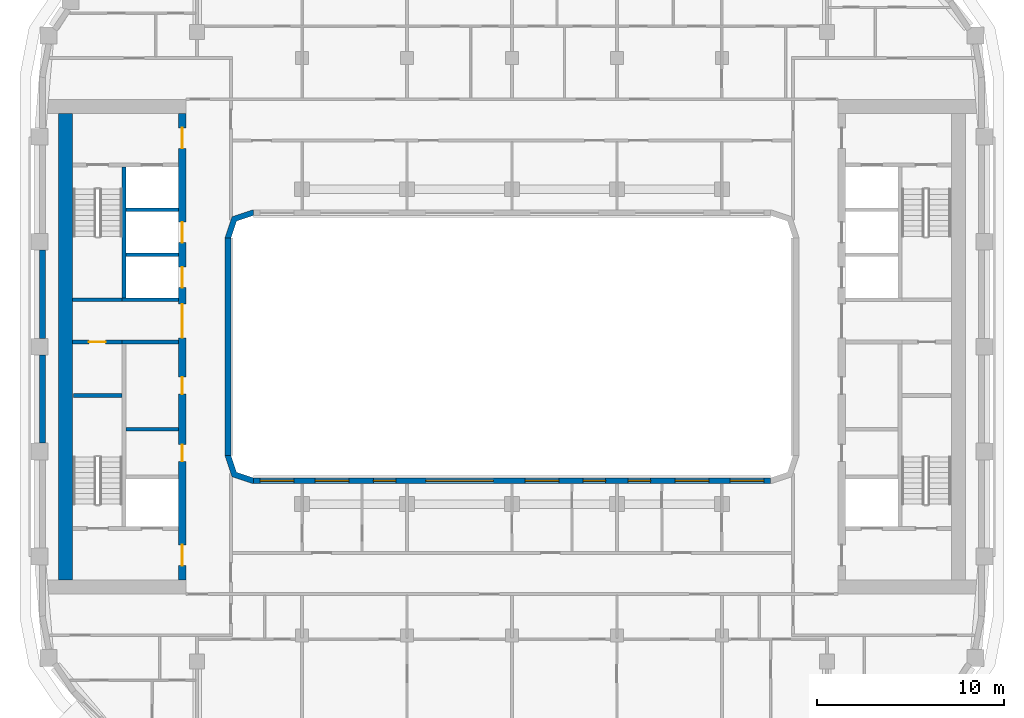
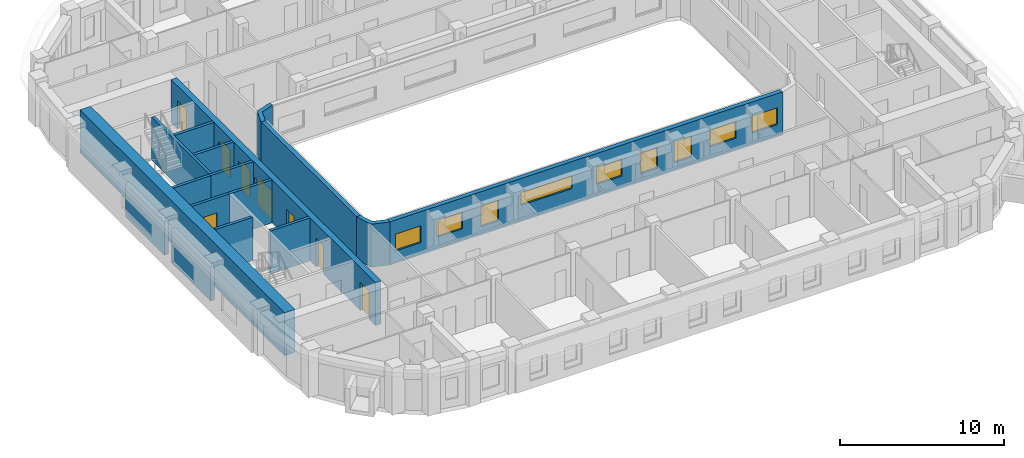
# One storey, part 4 of 21: 17 walls, 9 windows, 8 doors, 17 openings.
"""IFC4 building model written with IfcOpenShell, lengths in metres."""

from ifc_helpers import new_model, si_unit, direction, frame, frame_2d, origin, place, context, subcontext, project, spatial, polyline, rectangle, outline, extrude, material, layer, layer_set, type_object, element, fill, save


model = new_model("IFC4")

# Units and contexts
model_context = context("Model", 3, precision=1e-05, world=origin(), true_north=direction((0.0, 1.0)))
body_context = subcontext(model_context, "Body", "Model", "MODEL_VIEW")
ifc_project = project(units=[si_unit("LENGTHUNIT", "METRE"), si_unit("AREAUNIT", "SQUARE_METRE"), si_unit("VOLUMEUNIT", "CUBIC_METRE"), si_unit("PLANEANGLEUNIT", "RADIAN"), si_unit("MASSUNIT", "GRAM", prefix="KILO")], contexts=[model_context])

# Site, building, storey
site_placement = place(None, origin())
site = spatial("IfcSite", under=ifc_project, at=site_placement, CompositionType="ELEMENT")
building_placement = place(site_placement, origin())
building = spatial("IfcBuilding", under=site, at=building_placement, Name="Kiln Ring Residences", CompositionType="ELEMENT")
storey_placement = place(building_placement, frame((0.0, 0.0, 195.89990234375)))
storey = spatial("IfcBuildingStorey", under=building, at=storey_placement, Name="L50", CompositionType="ELEMENT", Elevation=195.89990234375)

# Wall, opening, door
ifc_material_1 = material(Name="Gypsum board on steel studs", Category="steel")
ifc_layer_1 = layer(ifc_material_1, 0.199951171875)
ifc_layer_set_1 = layer_set([ifc_layer_1], Name="CORE-PARTITION-200")
wall_type_1 = type_object("IfcWallType", Name="CORE-PARTITION-200", PredefinedType="PARTITIONING", material=ifc_layer_set_1)
wall_1_placement = place(storey_placement, frame((-20.800048828125, 0.25, 0.0), z_axis=(0.0, 0.0, 1.0), x_axis=(-1.0, 0.0, 0.0)))
wall_1 = element("IfcWall", 1, at=wall_1_placement, inside=storey, type_object=wall_type_1, Name="Core partition west L50 1", PredefinedType="PARTITIONING", context=body_context, shape_type="SweptSolid", body=[
    extrude(rectangle(XDim=2.64990234375, YDim=0.199951171875, at=frame_2d((1.324951171875, 0.0))), origin(), (0.0, 0.0, 1.0), 3.2001953125),
])
opening_1_placement = place(wall_1_placement, frame((0.875, 0.0, 0.0)))
opening_1 = element("IfcOpeningElement", 2, at=opening_1_placement, cuts=wall_1, Name="Opening L50-CW12", PredefinedType="OPENING", context=body_context, shape_type="SweptSolid", body=[
    extrude(rectangle(XDim=0.89990234375, YDim=2.10009765625, at=frame_2d((0.449951171875, 1.050048828125))), frame((0.0, 0.10986328125, 0.0), z_axis=(0.0, -1.0, 0.0), x_axis=(1.0, 0.0, 0.0)), (0.0, 0.0, 1.0), 0.219970703125),
])
ifc_material_2 = material(Name="Steel door leaf", Category="steel")
door_type_1 = type_object("IfcDoorType", Name="CORE-DOOR-ROOM", OperationType="SINGLE_SWING_LEFT", PredefinedType="DOOR", material=ifc_material_2)
door_1_placement = place(opening_1_placement, origin())
door_1 = element("IfcDoor", 3, at=door_1_placement, inside=storey, type_object=door_type_1, Name="Electrical riser room L50-CW12", OperationType="SINGLE_SWING_RIGHT", OverallHeight=2.10009765625, OverallWidth=0.89990234375, PredefinedType="DOOR", context=body_context, shape_type="SweptSolid", body=[
    extrude(rectangle(XDim=0.89990234375, YDim=2.10009765625, at=frame_2d((0.449951171875, 1.050048828125))), frame((0.0, 0.02490234375, 0.0), z_axis=(0.0, -1.0, 0.0), x_axis=(1.0, 0.0, 0.0)), (0.0, 0.0, 1.0), 0.050048828125),
])
fill(opening_1, door_1)

# Walls
wall_2_placement = place(storey_placement, frame((-17.800048828125, -4.39990234375, 0.0), z_axis=(0.0, 0.0, 1.0), x_axis=(-1.0, 0.0, 0.0)))
element("IfcWall", 4, at=wall_2_placement, inside=storey, type_object=wall_type_1, Name="Core partition west L50 2", PredefinedType="PARTITIONING", context=body_context, shape_type="SweptSolid", body=[
    extrude(rectangle(XDim=2.800048828125, YDim=0.199951171875, at=frame_2d((1.39990234375, 0.0))), origin(), (0.0, 0.0, 1.0), 3.2001953125),
])
ifc_material_3 = material(Name="Gypsum shaft wall system")
ifc_layer_2 = layer(ifc_material_3, 0.199951171875)
ifc_layer_set_2 = layer_set([ifc_layer_2], Name="CORE-SHAFT-WALL-200")
wall_type_2 = type_object("IfcWallType", Name="CORE-SHAFT-WALL-200", PredefinedType="PARTITIONING", material=ifc_layer_set_2)
for number, where, z_axis, x_axis, name in (
    (5, (-17.800048828125, 0.25, 0.0), (0.0, 0.0, 1.0), (-1.0, 0.0, 0.0), "Core partition west L50 4"),
    (6, (-17.800048828125, 2.5, 0.0), (0.0, 0.0, 1.0), (-1.0, 0.0, 0.0), "Core partition west L50 5"),
):
    element("IfcWall", number, at=place(storey_placement, frame(where, z_axis=z_axis, x_axis=x_axis)), inside=storey, type_object=wall_type_2, Name=name, PredefinedType="PARTITIONING", context=body_context, shape_type="SweptSolid", body=[
        extrude(rectangle(XDim=3.0, YDim=0.199951171875, at=frame_2d((1.5, 0.0))), origin(), (0.0, 0.0, 1.0), 3.2001953125),
    ])
for number, where, z_axis, x_axis, name in (
    (7, (-17.800048828125, 4.89990234375, 0.0), (0.0, 0.0, 1.0), (-1.0, 0.0, 0.0), "Core partition west L50 6"),
    (8, (-17.800048828125, 7.300048828125, 0.0), (0.0, 0.0, 1.0), (-1.0, 0.0, 0.0), "Core partition west L50 7"),
):
    element("IfcWall", number, at=place(storey_placement, frame(where, z_axis=z_axis, x_axis=x_axis)), inside=storey, type_object=wall_type_2, Name=name, PredefinedType="PARTITIONING", context=body_context, shape_type="SweptSolid", body=[
        extrude(rectangle(XDim=2.800048828125, YDim=0.199951171875, at=frame_2d((1.39990234375, 0.0))), origin(), (0.0, 0.0, 1.0), 3.2001953125),
    ])
ifc_material_4 = material(Name="Concrete C40/50", Category="concrete")
ifc_layer_3 = layer(ifc_material_4, 0.199951171875)
ifc_layer_set_3 = layer_set([ifc_layer_3], Name="CORE-WALL-RC200")
wall_type_3 = type_object("IfcWallType", Name="CORE-WALL-RC200", PredefinedType="SHEAR", material=ifc_layer_set_3)
wall_3_placement = place(storey_placement, frame((-20.699951171875, 2.60009765625, 0.0), z_axis=(0.0, 0.0, 1.0), x_axis=(0.0, 1.0, 0.0)))
element("IfcWall", 9, at=wall_3_placement, inside=storey, type_object=wall_type_3, Name="Core wall west L50 1", PredefinedType="SHEAR", context=body_context, shape_type="SweptSolid", body=[
    extrude(rectangle(XDim=7.0, YDim=0.199951171875, at=frame_2d((3.5, 0.0))), origin(), (0.0, 0.0, 1.0), 3.2001953125),
])
wall_4_placement = place(storey_placement, frame((-20.800048828125, 2.5, 0.0), z_axis=(0.0, 0.0, 1.0), x_axis=(-1.0, 0.0, 0.0)))
element("IfcWall", 10, at=wall_4_placement, inside=storey, type_object=wall_type_3, Name="Core wall west L50 3", PredefinedType="SHEAR", context=body_context, shape_type="SweptSolid", body=[
    extrude(rectangle(XDim=2.64990234375, YDim=0.199951171875, at=frame_2d((1.324951171875, 0.0))), origin(), (0.0, 0.0, 1.0), 3.2001953125),
])
wall_5_placement = place(storey_placement, frame((-20.800048828125, -2.60009765625, 0.0), z_axis=(0.0, 0.0, 1.0), x_axis=(-1.0, 0.0, 0.0)))
element("IfcWall", 11, at=wall_5_placement, inside=storey, type_object=wall_type_3, Name="Core wall west L50 10", PredefinedType="SHEAR", context=body_context, shape_type="SweptSolid", body=[
    extrude(rectangle(XDim=2.599853515625, YDim=0.199951171875, at=frame_2d((1.2998046875, 0.0))), origin(), (0.0, 0.0, 1.0), 3.2001953125),
])

# Wall, openings, doors
ifc_material_5 = material(Name="Concrete C60/75", Category="concrete")
ifc_layer_4 = layer(ifc_material_5, 0.39990234375)
ifc_layer_set_4 = layer_set([ifc_layer_4], Name="CORE-WALL-RC400")
wall_type_4 = type_object("IfcWallType", Name="CORE-WALL-RC400", PredefinedType="SHEAR", material=ifc_layer_set_4)
wall_6_placement = place(storey_placement, frame((-17.60009765625, -12.449951171875, 0.0), z_axis=(0.0, 0.0, 1.0), x_axis=(0.0, 1.0, 0.0)))
wall_6 = element("IfcWall", 12, at=wall_6_placement, inside=storey, type_object=wall_type_4, Name="Core wall west L50 6", PredefinedType="SHEAR", context=body_context, shape_type="SweptSolid", body=[
    extrude(rectangle(XDim=24.89990234375, YDim=0.39990234375, at=frame_2d((12.449951171875, 0.0))), origin(), (0.0, 0.0, 1.0), 3.2001953125),
])
opening_2_placement = place(wall_6_placement, frame((6.324951171875, 0.0, 0.0)))
opening_2 = element("IfcOpeningElement", 13, at=opening_2_placement, cuts=wall_6, Name="Opening L50-CW02", PredefinedType="OPENING", context=body_context, shape_type="SweptSolid", body=[
    extrude(rectangle(XDim=0.89990234375, YDim=2.10009765625, at=frame_2d((0.449951171875, 1.050048828125))), frame((0.0, 0.2099609375, 0.0), z_axis=(0.0, -1.0, 0.0), x_axis=(1.0, 0.0, 0.0)), (0.0, 0.0, 1.0), 0.419921875),
])
opening_3_placement = place(wall_6_placement, frame((9.925048828125, 0.0, 0.0)))
opening_3 = element("IfcOpeningElement", 14, at=opening_3_placement, cuts=wall_6, Name="Opening L50-CW03", PredefinedType="OPENING", context=body_context, shape_type="SweptSolid", body=[
    extrude(rectangle(XDim=0.89990234375, YDim=2.10009765625, at=frame_2d((0.449951171875, 1.050048828125))), frame((0.0, 0.2099609375, 0.0), z_axis=(0.0, -1.0, 0.0), x_axis=(1.0, 0.0, 0.0)), (0.0, 0.0, 1.0), 0.419921875),
])
opening_4_placement = place(wall_6_placement, frame((15.60009765625, 0.0, 0.0)))
opening_4 = element("IfcOpeningElement", 15, at=opening_4_placement, cuts=wall_6, Name="Opening L50-CW04", PredefinedType="OPENING", context=body_context, shape_type="SweptSolid", body=[
    extrude(rectangle(XDim=1.10009765625, YDim=2.10009765625, at=frame_2d((0.550048828125, 1.050048828125))), frame((0.0, 0.2099609375, 0.0), z_axis=(0.0, -1.0, 0.0), x_axis=(1.0, 0.0, 0.0)), (0.0, 0.0, 1.0), 0.419921875),
])
opening_5_placement = place(wall_6_placement, frame((18.0, 0.0, 0.0)))
opening_5 = element("IfcOpeningElement", 16, at=opening_5_placement, cuts=wall_6, Name="Opening L50-CW05", PredefinedType="OPENING", context=body_context, shape_type="SweptSolid", body=[
    extrude(rectangle(XDim=1.10009765625, YDim=2.10009765625, at=frame_2d((0.550048828125, 1.050048828125))), frame((0.0, 0.2099609375, 0.0), z_axis=(0.0, -1.0, 0.0), x_axis=(1.0, 0.0, 0.0)), (0.0, 0.0, 1.0), 0.419921875),
])
opening_6_placement = place(wall_6_placement, frame((23.02490234375, 0.0, 0.0)))
opening_6 = element("IfcOpeningElement", 17, at=opening_6_placement, cuts=wall_6, Name="Opening L50-CW07", PredefinedType="OPENING", context=body_context, shape_type="SweptSolid", body=[
    extrude(rectangle(XDim=1.10009765625, YDim=2.10009765625, at=frame_2d((0.550048828125, 1.050048828125))), frame((0.0, 0.2099609375, 0.0), z_axis=(0.0, -1.0, 0.0), x_axis=(1.0, 0.0, 0.0)), (0.0, 0.0, 1.0), 0.419921875),
])
opening_7_placement = place(wall_6_placement, frame((0.77490234375, 0.0, 0.0)))
opening_7 = element("IfcOpeningElement", 18, at=opening_7_placement, cuts=wall_6, Name="Opening L50-CW08", PredefinedType="OPENING", context=body_context, shape_type="SweptSolid", body=[
    extrude(rectangle(XDim=1.10009765625, YDim=2.10009765625, at=frame_2d((0.550048828125, 1.050048828125))), frame((0.0, 0.2099609375, 0.0), z_axis=(0.0, -1.0, 0.0), x_axis=(1.0, 0.0, 0.0)), (0.0, 0.0, 1.0), 0.419921875),
])
opening_8_placement = place(wall_6_placement, frame((12.925048828125, 0.0, 0.0)))
opening_8 = element("IfcOpeningElement", 19, at=opening_8_placement, cuts=wall_6, Name="Opening L50-CW11", PredefinedType="OPENING", context=body_context, shape_type="SweptSolid", body=[
    extrude(rectangle(XDim=1.800048828125, YDim=2.10009765625, at=frame_2d((0.89990234375, 1.050048828125))), frame((0.0, 0.2099609375, 0.0), z_axis=(0.0, -1.0, 0.0), x_axis=(1.0, 0.0, 0.0)), (0.0, 0.0, 1.0), 0.419921875),
])
ifc_material_6 = material(Name="Steel door leaf", Category="steel")
door_type_2 = type_object("IfcDoorType", Name="CORE-DOOR-LD", OperationType="DOUBLE_DOOR_SLIDING", PredefinedType="DOOR", material=ifc_material_6)
door_2_placement = place(opening_4_placement, origin())
door_2 = element("IfcDoor", 20, at=door_2_placement, inside=storey, type_object=door_type_2, Name="LD W-M1 L50-CW04", OperationType="DOUBLE_DOOR_SLIDING", OverallHeight=2.10009765625, OverallWidth=1.10009765625, PredefinedType="DOOR", context=body_context, shape_type="SweptSolid", body=[
    extrude(rectangle(XDim=1.10009765625, YDim=2.10009765625, at=frame_2d((0.550048828125, 1.050048828125))), frame((0.0, 0.02490234375, 0.0), z_axis=(0.0, -1.0, 0.0), x_axis=(1.0, 0.0, 0.0)), (0.0, 0.0, 1.0), 0.050048828125),
])
fill(opening_4, door_2)
door_3_placement = place(opening_5_placement, origin())
door_3 = element("IfcDoor", 21, at=door_3_placement, inside=storey, type_object=door_type_2, Name="LD W-M2 L50-CW05", OperationType="DOUBLE_DOOR_SLIDING", OverallHeight=2.10009765625, OverallWidth=1.10009765625, PredefinedType="DOOR", context=body_context, shape_type="SweptSolid", body=[
    extrude(rectangle(XDim=1.10009765625, YDim=2.10009765625, at=frame_2d((0.550048828125, 1.050048828125))), frame((0.0, 0.02490234375, 0.0), z_axis=(0.0, -1.0, 0.0), x_axis=(1.0, 0.0, 0.0)), (0.0, 0.0, 1.0), 0.050048828125),
])
fill(opening_5, door_3)
ifc_material_7 = material(Name="Steel door leaf", Category="steel")
door_type_3 = type_object("IfcDoorType", Name="CORE-DOOR-LOBBY", OperationType="SINGLE_SWING_LEFT", PredefinedType="DOOR", material=ifc_material_7)
door_4_placement = place(opening_6_placement, origin())
door_4 = element("IfcDoor", 22, at=door_4_placement, inside=storey, type_object=door_type_3, Name="FFL L50-CW07", OperationType="SINGLE_SWING_RIGHT", OverallHeight=2.10009765625, OverallWidth=1.10009765625, PredefinedType="DOOR", context=body_context, shape_type="SweptSolid", body=[
    extrude(rectangle(XDim=1.10009765625, YDim=2.10009765625, at=frame_2d((0.550048828125, 1.050048828125))), frame((0.0, 0.02490234375, 0.0), z_axis=(0.0, -1.0, 0.0), x_axis=(1.0, 0.0, 0.0)), (0.0, 0.0, 1.0), 0.050048828125),
])
fill(opening_6, door_4)
door_5_placement = place(opening_7_placement, origin())
door_5 = element("IfcDoor", 23, at=door_5_placement, inside=storey, type_object=door_type_3, Name="SVL L50-CW08", OperationType="SINGLE_SWING_LEFT", OverallHeight=2.10009765625, OverallWidth=1.10009765625, PredefinedType="DOOR", context=body_context, shape_type="SweptSolid", body=[
    extrude(rectangle(XDim=1.10009765625, YDim=2.10009765625, at=frame_2d((0.550048828125, 1.050048828125))), frame((0.0, 0.02490234375, 0.0), z_axis=(0.0, -1.0, 0.0), x_axis=(1.0, 0.0, 0.0)), (0.0, 0.0, 1.0), 0.050048828125),
])
fill(opening_7, door_5)
ifc_material_8 = material(Name="Steel door leaf", Category="steel")
door_type_4 = type_object("IfcDoorType", Name="CORE-DOOR-PASS", OperationType="DOUBLE_DOOR_SINGLE_SWING", PredefinedType="DOOR", material=ifc_material_8)
door_6_placement = place(opening_8_placement, origin())
door_6 = element("IfcDoor", 24, at=door_6_placement, inside=storey, type_object=door_type_4, Name="Core passage L50-CW11", OperationType="DOUBLE_DOOR_SINGLE_SWING", OverallHeight=2.10009765625, OverallWidth=1.800048828125, PredefinedType="DOOR", context=body_context, shape_type="SweptSolid", body=[
    extrude(rectangle(XDim=1.800048828125, YDim=2.10009765625, at=frame_2d((0.89990234375, 1.050048828125))), frame((0.0, 0.02490234375, 0.0), z_axis=(0.0, -1.0, 0.0), x_axis=(1.0, 0.0, 0.0)), (0.0, 0.0, 1.0), 0.050048828125),
])
fill(opening_8, door_6)
door_7_placement = place(opening_2_placement, origin())
door_7 = element("IfcDoor", 25, at=door_7_placement, inside=storey, type_object=door_type_1, Name="Goods store L50-CW02", OperationType="SINGLE_SWING_RIGHT", OverallHeight=2.10009765625, OverallWidth=0.89990234375, PredefinedType="DOOR", context=body_context, shape_type="SweptSolid", body=[
    extrude(rectangle(XDim=0.89990234375, YDim=2.10009765625, at=frame_2d((0.449951171875, 1.050048828125))), frame((0.0, 0.02490234375, 0.0), z_axis=(0.0, -1.0, 0.0), x_axis=(1.0, 0.0, 0.0)), (0.0, 0.0, 1.0), 0.050048828125),
])
fill(opening_2, door_7)
door_8_placement = place(opening_3_placement, origin())
door_8 = element("IfcDoor", 26, at=door_8_placement, inside=storey, type_object=door_type_1, Name="Storage room L50-CW03", OperationType="SINGLE_SWING_LEFT", OverallHeight=2.10009765625, OverallWidth=0.89990234375, PredefinedType="DOOR", context=body_context, shape_type="SweptSolid", body=[
    extrude(rectangle(XDim=0.89990234375, YDim=2.10009765625, at=frame_2d((0.449951171875, 1.050048828125))), frame((0.0, 0.02490234375, 0.0), z_axis=(0.0, -1.0, 0.0), x_axis=(1.0, 0.0, 0.0)), (0.0, 0.0, 1.0), 0.050048828125),
])
fill(opening_3, door_8)

# Walls
ifc_material_9 = material(Name="Concrete C60/75", Category="concrete")
ifc_layer_5 = layer(ifc_material_9, 0.75)
ifc_layer_set_5 = layer_set([ifc_layer_5], Name="CORE-WALL-RC750")
wall_type_5 = type_object("IfcWallType", Name="CORE-WALL-RC750", PredefinedType="SHEAR", material=ifc_layer_set_5)
wall_7_placement = place(storey_placement, frame((-23.824951171875, -12.449951171875, 0.0), z_axis=(0.0, 0.0, 1.0), x_axis=(0.0, 1.0, 0.0)))
element("IfcWall", 27, at=wall_7_placement, inside=storey, type_object=wall_type_5, Name="Core wall west L50 7", PredefinedType="SHEAR", context=body_context, shape_type="SweptSolid", body=[
    extrude(rectangle(XDim=24.89990234375, YDim=0.75, at=frame_2d((12.449951171875, 0.0))), origin(), (0.0, 0.0, 1.0), 3.2001953125),
])
ifc_material_10 = material(Name="Brick masonry, dark clay brick", Category="masonry")
ifc_layer_6 = layer(ifc_material_10, 0.300048828125)
ifc_layer_set_6 = layer_set([ifc_layer_6], Name="EW-300 BRICK WALL")
wall_type_6 = type_object("IfcWallType", Name="EW-300 BRICK WALL", PredefinedType="SOLIDWALL", material=ifc_layer_set_6)
for number, where, z_axis, x_axis, name in (
    (28, (-25.050048828125, 5.14990234375, 0.0), (0.0, 0.0, 1.0), (0.0, -1.0, 0.0), "Facade wall L50 41"),
    (29, (-25.050048828125, -0.449951171875, 0.0), (0.0, 0.0, 1.0), (0.0, -1.0, 0.0), "Facade wall L50 42"),
):
    element("IfcWall", number, at=place(storey_placement, frame(where, z_axis=z_axis, x_axis=x_axis)), inside=storey, type_object=wall_type_6, Name=name, PredefinedType="SOLIDWALL", context=body_context, shape_type="SweptSolid", body=[
        extrude(rectangle(XDim=4.699951171875, YDim=0.300048828125, at=frame_2d((2.35009765625, 0.0))), origin(), (0.0, 0.0, 1.0), 2.5),
    ])
wall_8_placement = place(storey_placement, frame((-15.14990234375, -5.800048828125, 0.0), z_axis=(0.0, 0.0, 1.0), x_axis=(0.0, 1.0, 0.0)))
element("IfcWall", 30, at=wall_8_placement, inside=storey, type_object=wall_type_6, Name="Facade wall L50 47", PredefinedType="SOLIDWALL", context=body_context, shape_type="SweptSolid", body=[
    extrude(rectangle(XDim=11.60009765625, YDim=0.300048828125, at=frame_2d((5.800048828125, 0.0))), origin(), (0.0, 0.0, 1.0), 3.2001953125),
])

# Wall, openings, windows
wall_9_placement = place(storey_placement, frame((13.800048828125, -7.14990234375, 0.0), z_axis=(0.0, 0.0, 1.0), x_axis=(-1.0, 0.0, 0.0)))
wall_9 = element("IfcWall", 31, at=wall_9_placement, inside=storey, type_object=wall_type_6, Name="Facade wall L50 50", PredefinedType="SOLIDWALL", context=body_context, shape_type="SweptSolid", body=[
    extrude(rectangle(XDim=27.60009765625, YDim=0.300048828125, at=frame_2d((13.800048828125, 0.0))), origin(), (0.0, 0.0, 1.0), 3.2001953125),
])
opening_9_placement = place(wall_9_placement, frame((0.362548828125, 0.0, 0.89990234375)))
opening_9 = element("IfcOpeningElement", 32, at=opening_9_placement, cuts=wall_9, Name="Opening W2", PredefinedType="OPENING", context=body_context, shape_type="SweptSolid", body=[
    extrude(rectangle(XDim=1.800048828125, YDim=1.25, at=frame_2d((0.89990234375, 0.625))), frame((0.0, 0.159912109375, 0.0), z_axis=(0.0, -1.0, 0.0), x_axis=(1.0, 0.0, 0.0)), (0.0, 0.0, 1.0), 0.320068359375),
])
opening_10_placement = place(wall_9_placement, frame((3.300048828125, 0.0, 0.89990234375)))
opening_10 = element("IfcOpeningElement", 33, at=opening_10_placement, cuts=wall_9, Name="Opening W2", PredefinedType="OPENING", context=body_context, shape_type="SweptSolid", body=[
    extrude(rectangle(XDim=1.800048828125, YDim=1.25, at=frame_2d((0.89990234375, 0.625))), frame((0.0, 0.159912109375, 0.0), z_axis=(0.0, -1.0, 0.0), x_axis=(1.0, 0.0, 0.0)), (0.0, 0.0, 1.0), 0.320068359375),
])
opening_11_placement = place(wall_9_placement, frame((6.39990234375, 0.0, 0.60009765625)))
opening_11 = element("IfcOpeningElement", 34, at=opening_11_placement, cuts=wall_9, Name="Opening W1", PredefinedType="OPENING", context=body_context, shape_type="SweptSolid", body=[
    extrude(rectangle(XDim=1.199951171875, YDim=1.550048828125, at=frame_2d((0.60009765625, 0.77490234375))), frame((0.0, 0.159912109375, 0.0), z_axis=(0.0, -1.0, 0.0), x_axis=(1.0, 0.0, 0.0)), (0.0, 0.0, 1.0), 0.320068359375),
])
opening_12_placement = place(wall_9_placement, frame((8.800048828125, 0.0, 0.60009765625)))
opening_12 = element("IfcOpeningElement", 35, at=opening_12_placement, cuts=wall_9, Name="Opening W1", PredefinedType="OPENING", context=body_context, shape_type="SweptSolid", body=[
    extrude(rectangle(XDim=1.199951171875, YDim=1.550048828125, at=frame_2d((0.60009765625, 0.77490234375))), frame((0.0, 0.159912109375, 0.0), z_axis=(0.0, -1.0, 0.0), x_axis=(1.0, 0.0, 0.0)), (0.0, 0.0, 1.0), 0.320068359375),
])
opening_13_placement = place(wall_9_placement, frame((11.300048828125, 0.0, 0.89990234375)))
opening_13 = element("IfcOpeningElement", 36, at=opening_13_placement, cuts=wall_9, Name="Opening W2", PredefinedType="OPENING", context=body_context, shape_type="SweptSolid", body=[
    extrude(rectangle(XDim=1.800048828125, YDim=1.25, at=frame_2d((0.89990234375, 0.625))), frame((0.0, 0.159912109375, 0.0), z_axis=(0.0, -1.0, 0.0), x_axis=(1.0, 0.0, 0.0)), (0.0, 0.0, 1.0), 0.320068359375),
])
opening_14_placement = place(wall_9_placement, frame((14.800048828125, 0.0, 1.199951171875)))
opening_14 = element("IfcOpeningElement", 37, at=opening_14_placement, cuts=wall_9, Name="Opening W4", PredefinedType="OPENING", context=body_context, shape_type="SweptSolid", body=[
    extrude(rectangle(XDim=3.60009765625, YDim=0.949951171875, at=frame_2d((1.800048828125, 0.47509765625))), frame((0.0, 0.159912109375, 0.0), z_axis=(0.0, -1.0, 0.0), x_axis=(1.0, 0.0, 0.0)), (0.0, 0.0, 1.0), 0.320068359375),
])
opening_15_placement = place(wall_9_placement, frame((20.0, 0.0, 0.60009765625)))
opening_15 = element("IfcOpeningElement", 38, at=opening_15_placement, cuts=wall_9, Name="Opening W1", PredefinedType="OPENING", context=body_context, shape_type="SweptSolid", body=[
    extrude(rectangle(XDim=1.199951171875, YDim=1.550048828125, at=frame_2d((0.60009765625, 0.77490234375))), frame((0.0, 0.159912109375, 0.0), z_axis=(0.0, -1.0, 0.0), x_axis=(1.0, 0.0, 0.0)), (0.0, 0.0, 1.0), 0.320068359375),
])
opening_16_placement = place(wall_9_placement, frame((22.5, 0.0, 0.89990234375)))
opening_16 = element("IfcOpeningElement", 39, at=opening_16_placement, cuts=wall_9, Name="Opening W2", PredefinedType="OPENING", context=body_context, shape_type="SweptSolid", body=[
    extrude(rectangle(XDim=1.800048828125, YDim=1.25, at=frame_2d((0.89990234375, 0.625))), frame((0.0, 0.159912109375, 0.0), z_axis=(0.0, -1.0, 0.0), x_axis=(1.0, 0.0, 0.0)), (0.0, 0.0, 1.0), 0.320068359375),
])
opening_17_placement = place(wall_9_placement, frame((25.4375, 0.0, 0.89990234375)))
opening_17 = element("IfcOpeningElement", 40, at=opening_17_placement, cuts=wall_9, Name="Opening W2", PredefinedType="OPENING", context=body_context, shape_type="SweptSolid", body=[
    extrude(rectangle(XDim=1.800048828125, YDim=1.25, at=frame_2d((0.89990234375, 0.625))), frame((0.0, 0.159912109375, 0.0), z_axis=(0.0, -1.0, 0.0), x_axis=(1.0, 0.0, 0.0)), (0.0, 0.0, 1.0), 0.320068359375),
])
ifc_material_11 = material(Name="Aluminium frame with double glazing", Category="aluminium")
window_type_1 = type_object("IfcWindowType", Name="WINDOW 1200 x 1550", PartitioningType="SINGLE_PANEL", PredefinedType="WINDOW", material=ifc_material_11)
window_1_placement = place(opening_11_placement, origin())
window_1 = element("IfcWindow", 41, at=window_1_placement, inside=storey, type_object=window_type_1, Name="Window L50 43", OverallHeight=1.550048828125, OverallWidth=1.199951171875, PartitioningType="SINGLE_PANEL", PredefinedType="WINDOW", context=body_context, shape_type="SweptSolid", body=[
    extrude(rectangle(XDim=1.199951171875, YDim=1.550048828125, at=frame_2d((0.60009765625, 0.77490234375))), frame((0.0, 0.030029296875, 0.0), z_axis=(0.0, -1.0, 0.0), x_axis=(1.0, 0.0, 0.0)), (0.0, 0.0, 1.0), 0.06005859375),
])
fill(opening_11, window_1)
window_2_placement = place(opening_12_placement, origin())
window_2 = element("IfcWindow", 42, at=window_2_placement, inside=storey, type_object=window_type_1, Name="Window L50 44", OverallHeight=1.550048828125, OverallWidth=1.199951171875, PartitioningType="SINGLE_PANEL", PredefinedType="WINDOW", context=body_context, shape_type="SweptSolid", body=[
    extrude(rectangle(XDim=1.199951171875, YDim=1.550048828125, at=frame_2d((0.60009765625, 0.77490234375))), frame((0.0, 0.030029296875, 0.0), z_axis=(0.0, -1.0, 0.0), x_axis=(1.0, 0.0, 0.0)), (0.0, 0.0, 1.0), 0.06005859375),
])
fill(opening_12, window_2)
window_3_placement = place(opening_15_placement, origin())
window_3 = element("IfcWindow", 43, at=window_3_placement, inside=storey, type_object=window_type_1, Name="Window L50 47", OverallHeight=1.550048828125, OverallWidth=1.199951171875, PartitioningType="SINGLE_PANEL", PredefinedType="WINDOW", context=body_context, shape_type="SweptSolid", body=[
    extrude(rectangle(XDim=1.199951171875, YDim=1.550048828125, at=frame_2d((0.60009765625, 0.77490234375))), frame((0.0, 0.030029296875, 0.0), z_axis=(0.0, -1.0, 0.0), x_axis=(1.0, 0.0, 0.0)), (0.0, 0.0, 1.0), 0.06005859375),
])
fill(opening_15, window_3)
ifc_material_12 = material(Name="Aluminium frame with double glazing", Category="aluminium")
window_type_2 = type_object("IfcWindowType", Name="WINDOW 1800 x 1250", PartitioningType="SINGLE_PANEL", PredefinedType="WINDOW", material=ifc_material_12)
window_4_placement = place(opening_9_placement, origin())
window_4 = element("IfcWindow", 44, at=window_4_placement, inside=storey, type_object=window_type_2, Name="Window L50 41", OverallHeight=1.25, OverallWidth=1.800048828125, PartitioningType="SINGLE_PANEL", PredefinedType="WINDOW", context=body_context, shape_type="SweptSolid", body=[
    extrude(rectangle(XDim=1.800048828125, YDim=1.25, at=frame_2d((0.89990234375, 0.625))), frame((0.0, 0.030029296875, 0.0), z_axis=(0.0, -1.0, 0.0), x_axis=(1.0, 0.0, 0.0)), (0.0, 0.0, 1.0), 0.06005859375),
])
fill(opening_9, window_4)
window_5_placement = place(opening_10_placement, origin())
window_5 = element("IfcWindow", 45, at=window_5_placement, inside=storey, type_object=window_type_2, Name="Window L50 42", OverallHeight=1.25, OverallWidth=1.800048828125, PartitioningType="SINGLE_PANEL", PredefinedType="WINDOW", context=body_context, shape_type="SweptSolid", body=[
    extrude(rectangle(XDim=1.800048828125, YDim=1.25, at=frame_2d((0.89990234375, 0.625))), frame((0.0, 0.030029296875, 0.0), z_axis=(0.0, -1.0, 0.0), x_axis=(1.0, 0.0, 0.0)), (0.0, 0.0, 1.0), 0.06005859375),
])
fill(opening_10, window_5)
window_6_placement = place(opening_13_placement, origin())
window_6 = element("IfcWindow", 46, at=window_6_placement, inside=storey, type_object=window_type_2, Name="Window L50 45", OverallHeight=1.25, OverallWidth=1.800048828125, PartitioningType="SINGLE_PANEL", PredefinedType="WINDOW", context=body_context, shape_type="SweptSolid", body=[
    extrude(rectangle(XDim=1.800048828125, YDim=1.25, at=frame_2d((0.89990234375, 0.625))), frame((0.0, 0.030029296875, 0.0), z_axis=(0.0, -1.0, 0.0), x_axis=(1.0, 0.0, 0.0)), (0.0, 0.0, 1.0), 0.06005859375),
])
fill(opening_13, window_6)
window_7_placement = place(opening_16_placement, origin())
window_7 = element("IfcWindow", 47, at=window_7_placement, inside=storey, type_object=window_type_2, Name="Window L50 48", OverallHeight=1.25, OverallWidth=1.800048828125, PartitioningType="SINGLE_PANEL", PredefinedType="WINDOW", context=body_context, shape_type="SweptSolid", body=[
    extrude(rectangle(XDim=1.800048828125, YDim=1.25, at=frame_2d((0.89990234375, 0.625))), frame((0.0, 0.030029296875, 0.0), z_axis=(0.0, -1.0, 0.0), x_axis=(1.0, 0.0, 0.0)), (0.0, 0.0, 1.0), 0.06005859375),
])
fill(opening_16, window_7)
window_8_placement = place(opening_17_placement, origin())
window_8 = element("IfcWindow", 48, at=window_8_placement, inside=storey, type_object=window_type_2, Name="Window L50 49", OverallHeight=1.25, OverallWidth=1.800048828125, PartitioningType="SINGLE_PANEL", PredefinedType="WINDOW", context=body_context, shape_type="SweptSolid", body=[
    extrude(rectangle(XDim=1.800048828125, YDim=1.25, at=frame_2d((0.89990234375, 0.625))), frame((0.0, 0.030029296875, 0.0), z_axis=(0.0, -1.0, 0.0), x_axis=(1.0, 0.0, 0.0)), (0.0, 0.0, 1.0), 0.06005859375),
])
fill(opening_17, window_8)
ifc_material_13 = material(Name="Aluminium frame with double glazing", Category="aluminium")
window_type_3 = type_object("IfcWindowType", Name="WINDOW 3600 x 950", PartitioningType="SINGLE_PANEL", PredefinedType="WINDOW", material=ifc_material_13)
window_9_placement = place(opening_14_placement, origin())
window_9 = element("IfcWindow", 49, at=window_9_placement, inside=storey, type_object=window_type_3, Name="Window L50 46", OverallHeight=0.949951171875, OverallWidth=3.60009765625, PartitioningType="SINGLE_PANEL", PredefinedType="WINDOW", context=body_context, shape_type="SweptSolid", body=[
    extrude(rectangle(XDim=3.60009765625, YDim=0.949951171875, at=frame_2d((1.800048828125, 0.47509765625))), frame((0.0, 0.030029296875, 0.0), z_axis=(0.0, -1.0, 0.0), x_axis=(1.0, 0.0, 0.0)), (0.0, 0.0, 1.0), 0.06005859375),
])
fill(opening_14, window_9)

# Walls
placement = place(storey_placement, origin())
element("IfcWall", 50, at=placement, inside=storey, type_object=wall_type_6, Name="Corner wall L50 1", PredefinedType="SOLIDWALL", context=body_context, shape_type="SweptSolid", body=[
    extrude(outline(polyline([(-13.8486328125, 7.300048828125), (-14.937255859375, 6.937255859375), (-15.300048828125, 5.8486328125), (-15.300048828125, 5.800048828125), (-15.0, 5.800048828125), (-14.699951171875, 6.699951171875), (-13.800048828125, 7.0), (-13.800048828125, 7.300048828125), (-13.8486328125, 7.300048828125)])), origin(), (0.0, 0.0, 1.0), 3.2001953125),
])
element("IfcWall", 51, at=placement, inside=storey, type_object=wall_type_6, Name="Corner wall L50 4", PredefinedType="SOLIDWALL", context=body_context, shape_type="SweptSolid", body=[
    extrude(outline(polyline([(-14.937255859375, -6.937255859375), (-13.8486328125, -7.300048828125), (-13.800048828125, -7.300048828125), (-13.800048828125, -7.0), (-14.699951171875, -6.699951171875), (-15.0, -5.800048828125), (-15.300048828125, -5.800048828125), (-15.300048828125, -5.8486328125), (-14.937255859375, -6.937255859375)])), origin(), (0.0, 0.0, 1.0), 3.2001953125),
])

save(model, "model.ifc")
